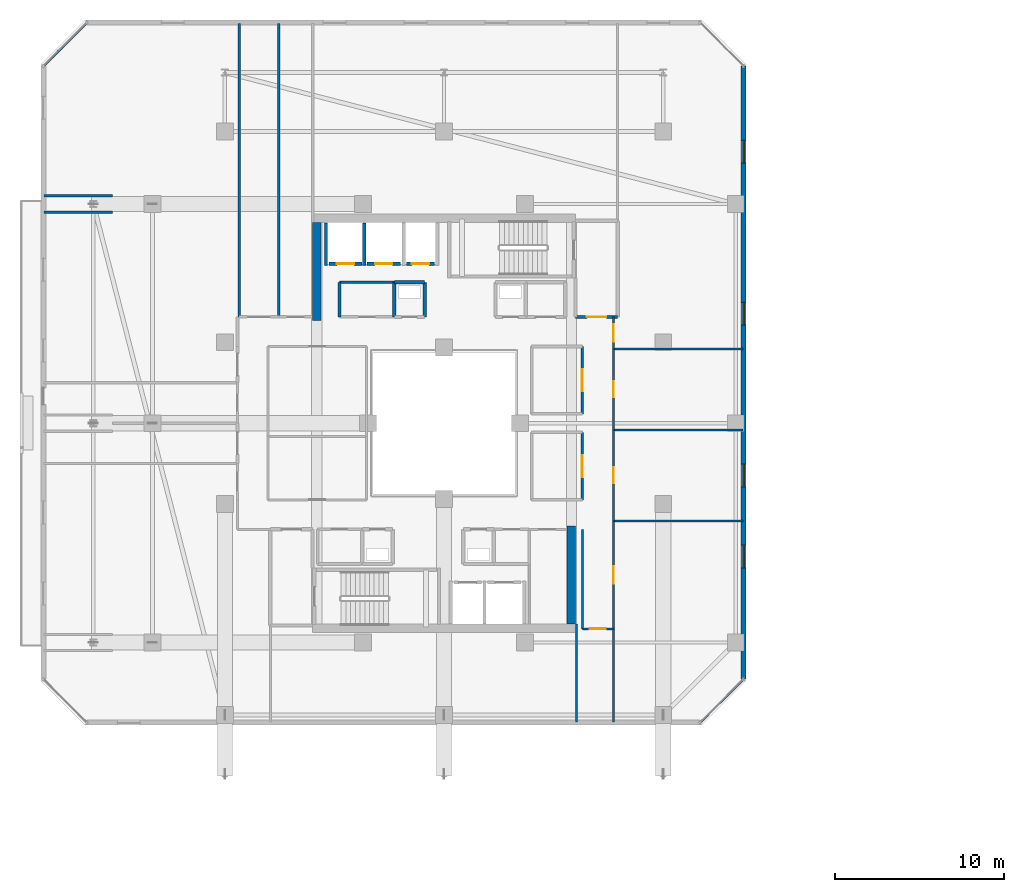
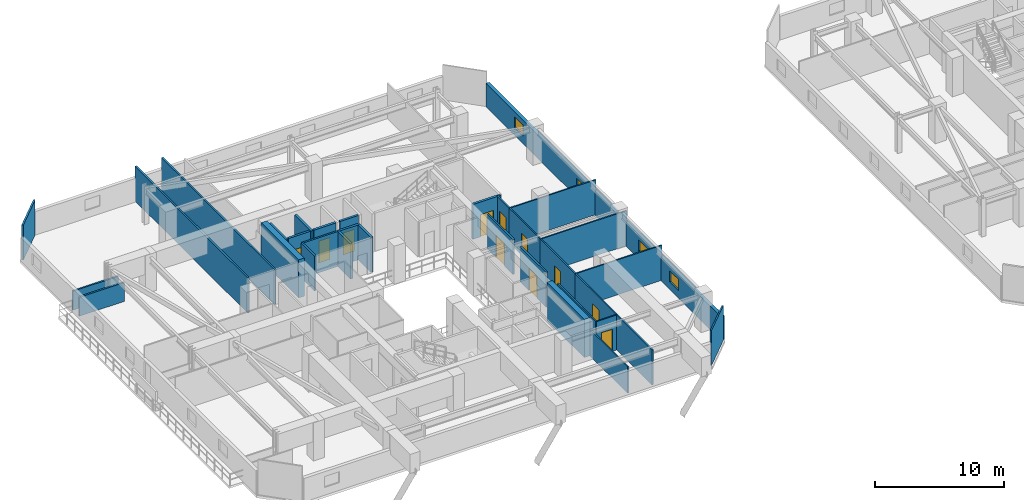
# One storey, part 23 of 35: 33 walls, 11 doors, 4 windows, 15 openings.
"""IFC4 building model written with IfcOpenShell, lengths in metres."""

from ifc_helpers import new_model, si_unit, direction, frame, frame_2d, origin, place, context, subcontext, project, spatial, rectangle, extrude, material, layer, layer_set, type_object, element, fill, save


model = new_model("IFC4")

# Units and contexts
model_context = context("Model", 3, precision=1e-05, world=origin(), true_north=direction((0.0, 1.0)))
body_context = subcontext(model_context, "Body", "Model", "MODEL_VIEW")
ifc_project = project(units=[si_unit("LENGTHUNIT", "METRE"), si_unit("AREAUNIT", "SQUARE_METRE"), si_unit("VOLUMEUNIT", "CUBIC_METRE"), si_unit("PLANEANGLEUNIT", "RADIAN"), si_unit("MASSUNIT", "GRAM", prefix="KILO")], contexts=[model_context])

# Site, building, storey
site_placement = place(None, origin())
site = spatial("IfcSite", under=ifc_project, at=site_placement, CompositionType="ELEMENT")
building_placement = place(site_placement, origin())
building = spatial("IfcBuilding", under=site, at=building_placement, Name="Thornwick Lancets Civic Towers", CompositionType="ELEMENT")
storey_placement = place(building_placement, frame((0.0, 0.0, 225.89990234375)))
storey = spatial("IfcBuildingStorey", under=building, at=storey_placement, Name="L60", CompositionType="ELEMENT", Elevation=225.89990234375)

# Wall, opening, door
ifc_material_1 = material(Name="Concrete blockwork C40/50", Category="masonry")
ifc_layer_1 = layer(ifc_material_1, 0.199951171875, Name="Concrete blockwork C40/50")
ifc_layer_set_1 = layer_set([ifc_layer_1], Name="Concrete blockwork C40/50")
wall_type_1 = type_object("IfcWallType", Name="WALL_COMP_200", PredefinedType="STANDARD", material=ifc_layer_set_1)
wall_1_placement = place(storey_placement, frame((24.919921875, 36.449951171875, 0.0), z_axis=(0.0, 0.0, 1.0), x_axis=(-1.0, 0.0, 0.0)))
wall_1 = element("IfcWall", 1, at=wall_1_placement, inside=storey, type_object=wall_type_1, Name="L60 Hoistway Front Wall FL-A2", PredefinedType="STANDARD", context=body_context, shape_type="SweptSolid", body=[
    extrude(rectangle(XDim=1.639892578125, YDim=0.199951171875, at=frame_2d((0.81982421875, 0.0))), origin(), (0.0, 0.0, 1.0), 3.300048828125),
])
opening_1_placement = place(wall_1_placement, frame((0.31005859375, 0.0, 0.0)))
opening_1 = element("IfcOpeningElement", 2, at=opening_1_placement, cuts=wall_1, Name="Opening LD-FL-A2", PredefinedType="OPENING", context=body_context, shape_type="SweptSolid", body=[
    extrude(rectangle(XDim=1.02001953125, YDim=2.06005859375, at=frame_2d((0.510009765625, 1.030029296875))), frame((0.0, 0.10986328125, 0.0), z_axis=(0.0, -1.0, 0.0), x_axis=(1.0, 0.0, 0.0)), (0.0, 0.0, 1.0), 0.219970703125),
])
ifc_material_2 = material(Name="Brushed bronze stainless steel", Category="steel")
door_type_1 = type_object("IfcDoorType", Name="DOOR_LIFT_SLIDE", OperationType="SLIDING_TO_LEFT", PredefinedType="DOOR", material=ifc_material_2)
door_1_placement = place(opening_1_placement, origin())
door_1 = element("IfcDoor", 3, at=door_1_placement, inside=storey, type_object=door_type_1, Name="L60 Sliding Lift Landing Door LD-FL-A2", OperationType="SLIDING_TO_LEFT", OverallHeight=2.06005859375, OverallWidth=1.02001953125, PredefinedType="DOOR", context=body_context, shape_type="SweptSolid", body=[
    extrude(rectangle(XDim=1.02001953125, YDim=2.06005859375, at=frame_2d((0.510009765625, 1.030029296875))), frame((0.0, 0.02490234375, 0.0), z_axis=(0.0, -1.0, 0.0), x_axis=(1.0, 0.0, 0.0)), (0.0, 0.0, 1.0), 0.050048828125),
])
fill(opening_1, door_1)

wall_2_placement = place(storey_placement, frame((22.919921875, 36.449951171875, 0.0), z_axis=(0.0, 0.0, 1.0), x_axis=(-1.0, 0.0, 0.0)))
wall_2 = element("IfcWall", 4, at=wall_2_placement, inside=storey, type_object=wall_type_1, Name="L60 Hoistway Front Wall PL-AH2", PredefinedType="STANDARD", context=body_context, shape_type="SweptSolid", body=[
    extrude(rectangle(XDim=1.989990234375, YDim=0.199951171875, at=frame_2d((0.9951171875, 0.0))), origin(), (0.0, 0.0, 1.0), 3.300048828125),
])
opening_2_placement = place(wall_2_placement, frame((0.485107421875, 0.0, 0.0)))
opening_2 = element("IfcOpeningElement", 5, at=opening_2_placement, cuts=wall_2, Name="Opening LD-PL-AH2", PredefinedType="OPENING", context=body_context, shape_type="SweptSolid", body=[
    extrude(rectangle(XDim=1.02001953125, YDim=2.06005859375, at=frame_2d((0.510009765625, 1.030029296875))), frame((0.0, 0.10986328125, 0.0), z_axis=(0.0, -1.0, 0.0), x_axis=(1.0, 0.0, 0.0)), (0.0, 0.0, 1.0), 0.219970703125),
])
door_2_placement = place(opening_2_placement, origin())
door_2 = element("IfcDoor", 6, at=door_2_placement, inside=storey, type_object=door_type_1, Name="L60 Sliding Lift Landing Door LD-PL-AH2", OperationType="SLIDING_TO_LEFT", OverallHeight=2.06005859375, OverallWidth=1.02001953125, PredefinedType="DOOR", context=body_context, shape_type="SweptSolid", body=[
    extrude(rectangle(XDim=1.02001953125, YDim=2.06005859375, at=frame_2d((0.510009765625, 1.030029296875))), frame((0.0, 0.02490234375, 0.0), z_axis=(0.0, -1.0, 0.0), x_axis=(1.0, 0.0, 0.0)), (0.0, 0.0, 1.0), 0.050048828125),
])
fill(opening_2, door_2)

wall_3_placement = place(storey_placement, frame((20.6201171875, 36.449951171875, 0.0), z_axis=(0.0, 0.0, 1.0), x_axis=(-1.0, 0.0, 0.0)))
wall_3 = element("IfcWall", 7, at=wall_3_placement, inside=storey, type_object=wall_type_1, Name="L60 Hoistway Front Wall PL-AH3", PredefinedType="STANDARD", context=body_context, shape_type="SweptSolid", body=[
    extrude(rectangle(XDim=1.940185546875, YDim=0.199951171875, at=frame_2d((0.97021484375, 0.0))), origin(), (0.0, 0.0, 1.0), 3.300048828125),
])
opening_3_placement = place(wall_3_placement, frame((0.4599609375, 0.0, 0.0)))
opening_3 = element("IfcOpeningElement", 8, at=opening_3_placement, cuts=wall_3, Name="Opening LD-PL-AH3", PredefinedType="OPENING", context=body_context, shape_type="SweptSolid", body=[
    extrude(rectangle(XDim=1.02001953125, YDim=2.06005859375, at=frame_2d((0.510009765625, 1.030029296875))), frame((0.0, 0.10986328125, 0.0), z_axis=(0.0, -1.0, 0.0), x_axis=(1.0, 0.0, 0.0)), (0.0, 0.0, 1.0), 0.219970703125),
])
door_3_placement = place(opening_3_placement, origin())
door_3 = element("IfcDoor", 9, at=door_3_placement, inside=storey, type_object=door_type_1, Name="L60 Sliding Lift Landing Door LD-PL-AH3", OperationType="SLIDING_TO_LEFT", OverallHeight=2.06005859375, OverallWidth=1.02001953125, PredefinedType="DOOR", context=body_context, shape_type="SweptSolid", body=[
    extrude(rectangle(XDim=1.02001953125, YDim=2.06005859375, at=frame_2d((0.510009765625, 1.030029296875))), frame((0.0, 0.02490234375, 0.0), z_axis=(0.0, -1.0, 0.0), x_axis=(1.0, 0.0, 0.0)), (0.0, 0.0, 1.0), 0.050048828125),
])
fill(opening_3, door_3)

# Walls
for number, where, z_axis, x_axis, name in (
    (10, (20.77490234375, 36.35205078125, 0.0), (0.0, 0.0, 1.0), (0.0, 1.0, 0.0), "L60 Hoistway Shaft Wall PL-AH2 W"),
    (11, (18.5, 36.35205078125, 0.0), (0.0, 0.0, 1.0), (0.0, 1.0, 0.0), "L60 Hoistway Shaft Wall PL-AH3 W"),
):
    element("IfcWall", number, at=place(storey_placement, frame(where, z_axis=z_axis, x_axis=x_axis)), inside=storey, type_object=wall_type_1, Name=name, PredefinedType="STANDARD", context=body_context, shape_type="SweptSolid", body=[
        extrude(rectangle(XDim=2.535888671875, YDim=0.199951171875, at=frame_2d((1.26806640625, 0.0))), origin(), (0.0, 0.0, 1.0), 3.300048828125),
    ])

# Wall, opening, door
wall_4_placement = place(storey_placement, frame((33.300048828125, 33.300048828125, 0.0), z_axis=(0.0, 0.0, 1.0), x_axis=(1.0, 0.0, 0.0)))
wall_4 = element("IfcWall", 12, at=wall_4_placement, inside=storey, type_object=wall_type_1, Name="L60 Partition L60-A-FFLOB2 E1", PredefinedType="STANDARD", context=body_context, shape_type="SweptSolid", body=[
    extrude(rectangle(XDim=2.5, YDim=0.199951171875, at=frame_2d((1.25, 0.0))), origin(), (0.0, 0.0, 1.0), 3.300048828125),
])
opening_4_placement = place(wall_4_placement, frame((0.675048828125, 0.0, 0.0)))
opening_4 = element("IfcOpeningElement", 13, at=opening_4_placement, cuts=wall_4, Name="Opening D-L60-2682", PredefinedType="OPENING", context=body_context, shape_type="SweptSolid", body=[
    extrude(rectangle(XDim=1.14990234375, YDim=2.10009765625, at=frame_2d((0.574951171875, 1.050048828125))), frame((0.0, 0.10986328125, 0.0), z_axis=(0.0, -1.0, 0.0), x_axis=(1.0, 0.0, 0.0)), (0.0, 0.0, 1.0), 0.219970703125),
])
ifc_material_3 = material(Name="Glazed fire-resisting steel", Category="steel")
door_type_2 = type_object("IfcDoorType", Name="DOOR_LOBBY_FD60", OperationType="NOTDEFINED", PredefinedType="DOOR", material=ifc_material_3)
door_4_placement = place(opening_4_placement, origin())
door_4 = element("IfcDoor", 14, at=door_4_placement, inside=storey, type_object=door_type_2, Name="L60 North Firefighting Lobby 2 Door", OperationType="SINGLE_SWING_LEFT", OverallHeight=2.10009765625, OverallWidth=1.14990234375, PredefinedType="DOOR", context=body_context, shape_type="SweptSolid", body=[
    extrude(rectangle(XDim=1.14990234375, YDim=2.10009765625, at=frame_2d((0.574951171875, 1.050048828125))), frame((0.0, 0.02490234375, 0.0), z_axis=(0.0, -1.0, 0.0), x_axis=(1.0, 0.0, 0.0)), (0.0, 0.0, 1.0), 0.050048828125),
])
fill(opening_4, door_4)

# Walls
wall_5_placement = place(storey_placement, frame((24.35009765625, 33.300048828125, 0.0), z_axis=(0.0, 0.0, 1.0), x_axis=(0.0, 1.0, 0.0)))
element("IfcWall", 15, at=wall_5_placement, inside=storey, type_object=wall_type_1, Name="L60 Partition L60-A-DUCT2 E2", PredefinedType="STANDARD", context=body_context, shape_type="SweptSolid", body=[
    extrude(rectangle(XDim=2.050048828125, YDim=0.199951171875, at=frame_2d((1.02490234375, 0.0))), origin(), (0.0, 0.0, 1.0), 3.300048828125),
])
wall_6_placement = place(storey_placement, frame((24.35009765625, 35.35009765625, 0.0), z_axis=(0.0, 0.0, 1.0), x_axis=(-1.0, 0.0, 0.0)))
element("IfcWall", 16, at=wall_6_placement, inside=storey, type_object=wall_type_1, Name="L60 Partition L60-A-DUCT2 E3", PredefinedType="STANDARD", context=body_context, shape_type="SweptSolid", body=[
    extrude(rectangle(XDim=1.800048828125, YDim=0.199951171875, at=frame_2d((0.89990234375, 0.0))), origin(), (0.0, 0.0, 1.0), 3.300048828125),
])
wall_7_placement = place(storey_placement, frame((22.550048828125, 35.35009765625, 0.0), z_axis=(0.0, 0.0, 1.0), x_axis=(0.0, -1.0, 0.0)))
element("IfcWall", 17, at=wall_7_placement, inside=storey, type_object=wall_type_1, Name="L60 Partition L60-A-DUCT2 E4", PredefinedType="STANDARD", context=body_context, shape_type="SweptSolid", body=[
    extrude(rectangle(XDim=2.050048828125, YDim=0.199951171875, at=frame_2d((1.02490234375, 0.0))), origin(), (0.0, 0.0, 1.0), 3.300048828125),
])
ifc_material_4 = material(Name="Concrete C50/60", Category="concrete")
ifc_layer_2 = layer(ifc_material_4, 0.5, Name="Concrete C50/60")
ifc_layer_set_2 = layer_set([ifc_layer_2], Name="Concrete C50/60")
wall_type_2 = type_object("IfcWallType", Name="WALL_CORE_500", PredefinedType="SHEAR", material=ifc_layer_set_2)
for number, where, z_axis, x_axis, name in (
    (18, (33.050048828125, 15.10009765625, 0.0), (0.0, 0.0, 1.0), (0.0, 1.0, 0.0), "L60 Split Core A1 Shear Wall E"),
    (19, (17.949951171875, 33.10009765625, 0.0), (0.0, 0.0, 1.0), (0.0, 1.0, 0.0), "L60 Split Core A2 Shear Wall W"),
):
    element("IfcWall", number, at=place(storey_placement, frame(where, z_axis=z_axis, x_axis=x_axis)), inside=storey, type_object=wall_type_2, Name=name, PredefinedType="SHEAR", context=body_context, shape_type="SweptSolid", body=[
        extrude(rectangle(XDim=5.7998046875, YDim=0.5, at=frame_2d((2.89990234375, 0.0))), origin(), (0.0, 0.0, 1.0), 3.60009765625),
    ])

# Wall, openings, windows
ifc_material_5 = material(Name="Insulated russet terracotta rainscreen on concrete C40/50", Category="masonry")
ifc_layer_3 = layer(ifc_material_5, 0.300048828125, Name="Insulated russet terracotta rainscreen on concrete C40/50")
ifc_layer_set_3 = layer_set([ifc_layer_3], Name="Insulated russet terracotta rainscreen on concrete C40/50")
wall_type_3 = type_object("IfcWallType", Name="WALL_EXT_RUSSET_300", PredefinedType="STANDARD", material=ifc_layer_set_3)
wall_8_placement = place(storey_placement, frame((43.2646484375, 11.818603515625, 0.0), z_axis=(0.0, 0.0, 1.0), x_axis=(0.0, 1.0, 0.0)))
wall_8 = element("IfcWall", 20, at=wall_8_placement, inside=storey, type_object=wall_type_3, Name="L60 Tower A Terracotta Facade Wall E2", PredefinedType="STANDARD", context=body_context, shape_type="SweptSolid", body=[
    extrude(rectangle(XDim=36.36279296875, YDim=0.300048828125, at=frame_2d((18.181396484375, 0.0))), origin(), (0.0, 0.0, 1.0), 2.22021484375),
])
opening_5_placement = place(wall_8_placement, frame((6.60009765625, 0.0, 0.719970703125)))
opening_5 = element("IfcOpeningElement", 21, at=opening_5_placement, cuts=wall_8, Name="Opening WL-03", PredefinedType="OPENING", context=body_context, shape_type="SweptSolid", body=[
    extrude(rectangle(XDim=1.35009765625, YDim=1.050048828125, at=frame_2d((0.675048828125, 0.52490234375))), frame((0.0, 0.16015625, 0.0), z_axis=(0.0, -1.0, 0.0), x_axis=(1.0, 0.0, 0.0)), (0.0, 0.0, 1.0), 0.320068359375),
])
opening_6_placement = place(wall_8_placement, frame((11.39990234375, 0.0, 0.719970703125)))
opening_6 = element("IfcOpeningElement", 22, at=opening_6_placement, cuts=wall_8, Name="Opening WL-03", PredefinedType="OPENING", context=body_context, shape_type="SweptSolid", body=[
    extrude(rectangle(XDim=1.35009765625, YDim=1.050048828125, at=frame_2d((0.675048828125, 0.52490234375))), frame((0.0, 0.16015625, 0.0), z_axis=(0.0, -1.0, 0.0), x_axis=(1.0, 0.0, 0.0)), (0.0, 0.0, 1.0), 0.320068359375),
])
opening_7_placement = place(wall_8_placement, frame((21.0, 0.0, 0.719970703125)))
opening_7 = element("IfcOpeningElement", 23, at=opening_7_placement, cuts=wall_8, Name="Opening WL-03", PredefinedType="OPENING", context=body_context, shape_type="SweptSolid", body=[
    extrude(rectangle(XDim=1.35009765625, YDim=1.050048828125, at=frame_2d((0.675048828125, 0.52490234375))), frame((0.0, 0.16015625, 0.0), z_axis=(0.0, -1.0, 0.0), x_axis=(1.0, 0.0, 0.0)), (0.0, 0.0, 1.0), 0.320068359375),
])
opening_8_placement = place(wall_8_placement, frame((30.60009765625, 0.0, 0.719970703125)))
opening_8 = element("IfcOpeningElement", 24, at=opening_8_placement, cuts=wall_8, Name="Opening WL-03", PredefinedType="OPENING", context=body_context, shape_type="SweptSolid", body=[
    extrude(rectangle(XDim=1.35009765625, YDim=1.050048828125, at=frame_2d((0.675048828125, 0.52490234375))), frame((0.0, 0.16015625, 0.0), z_axis=(0.0, -1.0, 0.0), x_axis=(1.0, 0.0, 0.0)), (0.0, 0.0, 1.0), 0.320068359375),
])
ifc_material_6 = material(Name="Clear low-e double glazing clerestory lancet", Category="glass")
window_type = type_object("IfcWindowType", Name="WIN_LANCET_1350", PartitioningType="SINGLE_PANEL", PredefinedType="WINDOW", material=ifc_material_6)
window_1_placement = place(opening_5_placement, origin())
window_1 = element("IfcWindow", 25, at=window_1_placement, inside=storey, type_object=window_type, Name="L60 Tower A Staggered Lancet Window E2-1", OverallHeight=1.050048828125, OverallWidth=1.35009765625, PartitioningType="SINGLE_PANEL", PredefinedType="WINDOW", context=body_context, shape_type="SweptSolid", body=[
    extrude(rectangle(XDim=1.35009765625, YDim=1.050048828125, at=frame_2d((0.675048828125, 0.52490234375))), frame((0.0, 0.030029296875, 0.0), z_axis=(0.0, -1.0, 0.0), x_axis=(1.0, 0.0, 0.0)), (0.0, 0.0, 1.0), 0.06005859375),
])
fill(opening_5, window_1)
window_2_placement = place(opening_6_placement, origin())
window_2 = element("IfcWindow", 26, at=window_2_placement, inside=storey, type_object=window_type, Name="L60 Tower A Staggered Lancet Window E2-2", OverallHeight=1.050048828125, OverallWidth=1.35009765625, PartitioningType="SINGLE_PANEL", PredefinedType="WINDOW", context=body_context, shape_type="SweptSolid", body=[
    extrude(rectangle(XDim=1.35009765625, YDim=1.050048828125, at=frame_2d((0.675048828125, 0.52490234375))), frame((0.0, 0.030029296875, 0.0), z_axis=(0.0, -1.0, 0.0), x_axis=(1.0, 0.0, 0.0)), (0.0, 0.0, 1.0), 0.06005859375),
])
fill(opening_6, window_2)
window_3_placement = place(opening_7_placement, origin())
window_3 = element("IfcWindow", 27, at=window_3_placement, inside=storey, type_object=window_type, Name="L60 Tower A Staggered Lancet Window E2-3", OverallHeight=1.050048828125, OverallWidth=1.35009765625, PartitioningType="SINGLE_PANEL", PredefinedType="WINDOW", context=body_context, shape_type="SweptSolid", body=[
    extrude(rectangle(XDim=1.35009765625, YDim=1.050048828125, at=frame_2d((0.675048828125, 0.52490234375))), frame((0.0, 0.030029296875, 0.0), z_axis=(0.0, -1.0, 0.0), x_axis=(1.0, 0.0, 0.0)), (0.0, 0.0, 1.0), 0.06005859375),
])
fill(opening_7, window_3)
window_4_placement = place(opening_8_placement, origin())
window_4 = element("IfcWindow", 28, at=window_4_placement, inside=storey, type_object=window_type, Name="L60 Tower A Staggered Lancet Window E2-4", OverallHeight=1.050048828125, OverallWidth=1.35009765625, PartitioningType="SINGLE_PANEL", PredefinedType="WINDOW", context=body_context, shape_type="SweptSolid", body=[
    extrude(rectangle(XDim=1.35009765625, YDim=1.050048828125, at=frame_2d((0.675048828125, 0.52490234375))), frame((0.0, 0.030029296875, 0.0), z_axis=(0.0, -1.0, 0.0), x_axis=(1.0, 0.0, 0.0)), (0.0, 0.0, 1.0), 0.06005859375),
])
fill(opening_8, window_4)

# Wall
ifc_material_7 = material(Name="Acoustic gypsum board partition")
ifc_layer_4 = layer(ifc_material_7, 0.1201171875, Name="Acoustic gypsum board partition")
ifc_layer_set_4 = layer_set([ifc_layer_4], Name="Acoustic gypsum board partition")
wall_type_4 = type_object("IfcWallType", Name="WALL_PART_120", PredefinedType="PARTITIONING", material=ifc_layer_set_4)
wall_9_placement = place(storey_placement, frame((33.699951171875, 20.699951171875, 0.0), z_axis=(0.0, 0.0, 1.0), x_axis=(0.0, -1.0, 0.0)))
element("IfcWall", 29, at=wall_9_placement, inside=storey, type_object=wall_type_4, Name="L60 Partition L60-A-RECLAIM-L E2", PredefinedType="PARTITIONING", context=body_context, shape_type="SweptSolid", body=[
    extrude(rectangle(XDim=5.89990234375, YDim=0.1201171875, at=frame_2d((2.949951171875, 0.0))), origin(), (0.0, 0.0, 1.0), 3.300048828125),
])

# Wall, opening, door
wall_10_placement = place(storey_placement, frame((33.699951171875, 14.800048828125, 0.0), z_axis=(0.0, 0.0, 1.0), x_axis=(1.0, 0.0, 0.0)))
wall_10 = element("IfcWall", 30, at=wall_10_placement, inside=storey, type_object=wall_type_4, Name="L60 Partition L60-A-RECLAIM-L E3", PredefinedType="PARTITIONING", context=body_context, shape_type="SweptSolid", body=[
    extrude(rectangle(XDim=1.85009765625, YDim=0.1201171875, at=frame_2d((0.925048828125, 0.0))), origin(), (0.0, 0.0, 1.0), 3.300048828125),
])
opening_9_placement = place(wall_10_placement, frame((0.449951171875, 0.0, 0.0)))
opening_9 = element("IfcOpeningElement", 31, at=opening_9_placement, cuts=wall_10, Name="Opening D-L60-2703", PredefinedType="OPENING", context=body_context, shape_type="SweptSolid", body=[
    extrude(rectangle(XDim=0.949951171875, YDim=2.10009765625, at=frame_2d((0.47509765625, 1.050048828125))), frame((0.0, 0.070068359375, 0.0), z_axis=(0.0, -1.0, 0.0), x_axis=(1.0, 0.0, 0.0)), (0.0, 0.0, 1.0), 0.14013671875),
])
ifc_material_8 = material(Name="European oak acoustic doorset")
door_type_3 = type_object("IfcDoorType", Name="DOOR_OFFICE_950", OperationType="NOTDEFINED", PredefinedType="DOOR", material=ifc_material_8)
door_5_placement = place(opening_9_placement, origin())
door_5 = element("IfcDoor", 32, at=door_5_placement, inside=storey, type_object=door_type_3, Name="L60 Tower A Parliamentary Drafting Library Door", OperationType="SINGLE_SWING_RIGHT", OverallHeight=2.10009765625, OverallWidth=0.949951171875, PredefinedType="DOOR", context=body_context, shape_type="SweptSolid", body=[
    extrude(rectangle(XDim=0.949951171875, YDim=2.10009765625, at=frame_2d((0.47509765625, 1.050048828125))), frame((0.0, 0.02490234375, 0.0), z_axis=(0.0, -1.0, 0.0), x_axis=(1.0, 0.0, 0.0)), (0.0, 0.0, 1.0), 0.050048828125),
])
fill(opening_9, door_5)

# Walls
wall_11_placement = place(storey_placement, frame((35.550048828125, 14.800048828125, 0.0), z_axis=(0.0, 0.0, 1.0), x_axis=(0.0, -1.0, 0.0)))
element("IfcWall", 33, at=wall_11_placement, inside=storey, type_object=wall_type_4, Name="L60 Partition L60-A-RECLAIM-L E4", PredefinedType="PARTITIONING", context=body_context, shape_type="SweptSolid", body=[
    extrude(rectangle(XDim=5.52001953125, YDim=0.1201171875, at=frame_2d((2.760009765625, 0.0))), origin(), (0.0, 0.0, 1.0), 3.300048828125),
])
wall_12_placement = place(storey_placement, frame((33.35009765625, 9.280029296875, 0.0), z_axis=(0.0, 0.0, 1.0), x_axis=(0.0, 1.0, 0.0)))
element("IfcWall", 34, at=wall_12_placement, inside=storey, type_object=wall_type_4, Name="L60 Partition L60-A-RECLAIM-L E6", PredefinedType="PARTITIONING", context=body_context, shape_type="SweptSolid", body=[
    extrude(rectangle(XDim=5.820068359375, YDim=0.1201171875, at=frame_2d((2.91015625, 0.0))), origin(), (0.0, 0.0, 1.0), 2.505126953125),
])

# Wall, opening, door
wall_13_placement = place(storey_placement, frame((35.550048828125, 14.800048828125, 0.0), z_axis=(0.0, 0.0, 1.0), x_axis=(0.0, 1.0, 0.0)))
wall_13 = element("IfcWall", 35, at=wall_13_placement, inside=storey, type_object=wall_type_4, Name="L60 Partition L60-A-E1 E3", PredefinedType="PARTITIONING", context=body_context, shape_type="SweptSolid", body=[
    extrude(rectangle(XDim=6.39990234375, YDim=0.1201171875, at=frame_2d((3.199951171875, 0.0))), origin(), (0.0, 0.0, 1.0), 3.300048828125),
])
opening_10_placement = place(wall_13_placement, frame((2.675048828125, 0.0, 0.0)))
opening_10 = element("IfcOpeningElement", 36, at=opening_10_placement, cuts=wall_13, Name="Opening D-L60-2712", PredefinedType="OPENING", context=body_context, shape_type="SweptSolid", body=[
    extrude(rectangle(XDim=1.050048828125, YDim=2.10009765625, at=frame_2d((0.52490234375, 1.050048828125))), frame((0.0, 0.070068359375, 0.0), z_axis=(0.0, -1.0, 0.0), x_axis=(1.0, 0.0, 0.0)), (0.0, 0.0, 1.0), 0.14013671875),
])
ifc_material_9 = material(Name="Glazed European oak executive doorset")
door_type_4 = type_object("IfcDoorType", Name="DOOR_OFFICE_1050", OperationType="NOTDEFINED", PredefinedType="DOOR", material=ifc_material_9)
door_6_placement = place(opening_10_placement, origin())
door_6 = element("IfcDoor", 37, at=door_6_placement, inside=storey, type_object=door_type_4, Name="L60 Tower A Secretariat Open Office E1 Door", OperationType="SINGLE_SWING_LEFT", OverallHeight=2.10009765625, OverallWidth=1.050048828125, PredefinedType="DOOR", context=body_context, shape_type="SweptSolid", body=[
    extrude(rectangle(XDim=1.050048828125, YDim=2.10009765625, at=frame_2d((0.52490234375, 1.050048828125))), frame((0.0, 0.02490234375, 0.0), z_axis=(0.0, -1.0, 0.0), x_axis=(1.0, 0.0, 0.0)), (0.0, 0.0, 1.0), 0.050048828125),
])
fill(opening_10, door_6)

# Walls
wall_14_placement = place(storey_placement, frame((35.550048828125, 21.199951171875, 0.0), z_axis=(0.0, 0.0, 1.0), x_axis=(1.0, 0.0, 0.0)))
element("IfcWall", 38, at=wall_14_placement, inside=storey, type_object=wall_type_4, Name="L60 Partition L60-A-E1 E4", PredefinedType="PARTITIONING", context=body_context, shape_type="SweptSolid", body=[
    extrude(rectangle(XDim=7.669921875, YDim=0.1201171875, at=frame_2d((3.8349609375, 0.0))), origin(), (0.0, 0.0, 1.0), 3.300048828125),
])
wall_15_placement = place(storey_placement, frame((43.219970703125, 11.774658203125, 0.0), z_axis=(0.0, 0.0, 1.0), x_axis=(-0.707106781187, -0.707106781187, 0.0)))
element("IfcWall", 39, at=wall_15_placement, inside=storey, type_object=wall_type_4, Name="L60 Partition L60-A-E1 E6", PredefinedType="PARTITIONING", context=body_context, shape_type="SweptSolid", body=[
    extrude(rectangle(XDim=3.52783203125, YDim=0.1201171875, at=frame_2d((1.763916015625, 0.0))), origin(), (0.0, 0.0, 1.0), 3.300048828125),
])

# Wall, opening, door
wall_16_placement = place(storey_placement, frame((35.550048828125, 21.199951171875, 0.0), z_axis=(0.0, 0.0, 1.0), x_axis=(0.0, 1.0, 0.0)))
wall_16 = element("IfcWall", 40, at=wall_16_placement, inside=storey, type_object=wall_type_4, Name="L60 Partition L60-A-E2 E1", PredefinedType="PARTITIONING", context=body_context, shape_type="SweptSolid", body=[
    extrude(rectangle(XDim=5.400146484375, YDim=0.1201171875, at=frame_2d((2.7001953125, 0.0))), origin(), (0.0, 0.0, 1.0), 3.300048828125),
])
opening_11_placement = place(wall_16_placement, frame((2.22509765625, 0.0, 0.0)))
opening_11 = element("IfcOpeningElement", 41, at=opening_11_placement, cuts=wall_16, Name="Opening D-L60-2713", PredefinedType="OPENING", context=body_context, shape_type="SweptSolid", body=[
    extrude(rectangle(XDim=0.949951171875, YDim=2.10009765625, at=frame_2d((0.47509765625, 1.050048828125))), frame((0.0, 0.070068359375, 0.0), z_axis=(0.0, -1.0, 0.0), x_axis=(1.0, 0.0, 0.0)), (0.0, 0.0, 1.0), 0.14013671875),
])
door_7_placement = place(opening_11_placement, origin())
door_7 = element("IfcDoor", 42, at=door_7_placement, inside=storey, type_object=door_type_3, Name="L60 Tower A Visitors Reception and Waiting Door", OperationType="SINGLE_SWING_RIGHT", OverallHeight=2.10009765625, OverallWidth=0.949951171875, PredefinedType="DOOR", context=body_context, shape_type="SweptSolid", body=[
    extrude(rectangle(XDim=0.949951171875, YDim=2.10009765625, at=frame_2d((0.47509765625, 1.050048828125))), frame((0.0, 0.02490234375, 0.0), z_axis=(0.0, -1.0, 0.0), x_axis=(1.0, 0.0, 0.0)), (0.0, 0.0, 1.0), 0.050048828125),
])
fill(opening_11, door_7)

# Wall
wall_17_placement = place(storey_placement, frame((35.550048828125, 26.60009765625, 0.0), z_axis=(0.0, 0.0, 1.0), x_axis=(1.0, 0.0, 0.0)))
element("IfcWall", 43, at=wall_17_placement, inside=storey, type_object=wall_type_4, Name="L60 Partition L60-A-E2 E2", PredefinedType="PARTITIONING", context=body_context, shape_type="SweptSolid", body=[
    extrude(rectangle(XDim=7.669921875, YDim=0.1201171875, at=frame_2d((3.8349609375, 0.0))), origin(), (0.0, 0.0, 1.0), 3.300048828125),
])

# Wall, opening, door
wall_18_placement = place(storey_placement, frame((35.550048828125, 26.60009765625, 0.0), z_axis=(0.0, 0.0, 1.0), x_axis=(0.0, 1.0, 0.0)))
wall_18 = element("IfcWall", 44, at=wall_18_placement, inside=storey, type_object=wall_type_4, Name="L60 Partition L60-A-E3 E1", PredefinedType="PARTITIONING", context=body_context, shape_type="SweptSolid", body=[
    extrude(rectangle(XDim=4.7998046875, YDim=0.1201171875, at=frame_2d((2.39990234375, 0.0))), origin(), (0.0, 0.0, 1.0), 3.300048828125),
])
opening_12_placement = place(wall_18_placement, frame((1.925048828125, 0.0, 0.0)))
opening_12 = element("IfcOpeningElement", 45, at=opening_12_placement, cuts=wall_18, Name="Opening D-L60-2714", PredefinedType="OPENING", context=body_context, shape_type="SweptSolid", body=[
    extrude(rectangle(XDim=0.949951171875, YDim=2.10009765625, at=frame_2d((0.47509765625, 1.050048828125))), frame((0.0, 0.070068359375, 0.0), z_axis=(0.0, -1.0, 0.0), x_axis=(1.0, 0.0, 0.0)), (0.0, 0.0, 1.0), 0.14013671875),
])
door_8_placement = place(opening_12_placement, origin())
door_8 = element("IfcDoor", 46, at=door_8_placement, inside=storey, type_object=door_type_3, Name="L60 Tower A Civic Seminar Room Door", OperationType="SINGLE_SWING_LEFT", OverallHeight=2.10009765625, OverallWidth=0.949951171875, PredefinedType="DOOR", context=body_context, shape_type="SweptSolid", body=[
    extrude(rectangle(XDim=0.949951171875, YDim=2.10009765625, at=frame_2d((0.47509765625, 1.050048828125))), frame((0.0, 0.02490234375, 0.0), z_axis=(0.0, -1.0, 0.0), x_axis=(1.0, 0.0, 0.0)), (0.0, 0.0, 1.0), 0.050048828125),
])
fill(opening_12, door_8)

# Wall
wall_19_placement = place(storey_placement, frame((35.550048828125, 31.39990234375, 0.0), z_axis=(0.0, 0.0, 1.0), x_axis=(1.0, 0.0, 0.0)))
element("IfcWall", 47, at=wall_19_placement, inside=storey, type_object=wall_type_4, Name="L60 Partition L60-A-E3 E2", PredefinedType="PARTITIONING", context=body_context, shape_type="SweptSolid", body=[
    extrude(rectangle(XDim=7.669921875, YDim=0.1201171875, at=frame_2d((3.8349609375, 0.0))), origin(), (0.0, 0.0, 1.0), 3.300048828125),
])

# Wall, opening, door
wall_20_placement = place(storey_placement, frame((35.550048828125, 31.39990234375, 0.0), z_axis=(0.0, 0.0, 1.0), x_axis=(0.0, 1.0, 0.0)))
wall_20 = element("IfcWall", 48, at=wall_20_placement, inside=storey, type_object=wall_type_4, Name="L60 Partition L60-A-E4 E8", PredefinedType="PARTITIONING", context=body_context, shape_type="SweptSolid", body=[
    extrude(rectangle(XDim=1.900146484375, YDim=0.1201171875, at=frame_2d((0.9501953125, 0.0))), origin(), (0.0, 0.0, 1.0), 3.300048828125),
])
opening_13_placement = place(wall_20_placement, frame((0.425048828125, 0.0, 0.0)))
opening_13 = element("IfcOpeningElement", 49, at=opening_13_placement, cuts=wall_20, Name="Opening D-L60-2715", PredefinedType="OPENING", context=body_context, shape_type="SweptSolid", body=[
    extrude(rectangle(XDim=1.050048828125, YDim=2.10009765625, at=frame_2d((0.52490234375, 1.050048828125))), frame((0.0, 0.070068359375, 0.0), z_axis=(0.0, -1.0, 0.0), x_axis=(1.0, 0.0, 0.0)), (0.0, 0.0, 1.0), 0.14013671875),
])
door_9_placement = place(opening_13_placement, origin())
door_9 = element("IfcDoor", 50, at=door_9_placement, inside=storey, type_object=door_type_4, Name="L60 Tower A Legislative Drafting Suite E4 Door", OperationType="SINGLE_SWING_RIGHT", OverallHeight=2.10009765625, OverallWidth=1.050048828125, PredefinedType="DOOR", context=body_context, shape_type="SweptSolid", body=[
    extrude(rectangle(XDim=1.050048828125, YDim=2.10009765625, at=frame_2d((0.52490234375, 1.050048828125))), frame((0.0, 0.02490234375, 0.0), z_axis=(0.0, -1.0, 0.0), x_axis=(1.0, 0.0, 0.0)), (0.0, 0.0, 1.0), 0.050048828125),
])
fill(opening_13, door_9)

# Walls
ifc_material_10 = material(Name="Twin-stud acoustic gypsum board")
ifc_layer_5 = layer(ifc_material_10, 0.14990234375, Name="Twin-stud acoustic gypsum board")
ifc_layer_set_5 = layer_set([ifc_layer_5], Name="Twin-stud acoustic gypsum board")
wall_type_5 = type_object("IfcWallType", Name="WALL_PART_150", PredefinedType="PARTITIONING", material=ifc_layer_set_5)
wall_21_placement = place(storey_placement, frame((19.300048828125, 33.300048828125, 0.0), z_axis=(0.0, 0.0, 1.0), x_axis=(0.0, 1.0, 0.0)))
element("IfcWall", 51, at=wall_21_placement, inside=storey, type_object=wall_type_5, Name="L60 Partition L60-A-FWC E1", PredefinedType="PARTITIONING", context=body_context, shape_type="SweptSolid", body=[
    extrude(rectangle(XDim=2.050048828125, YDim=0.14990234375, at=frame_2d((1.02490234375, 0.0))), origin(), (0.0, 0.0, 1.0), 3.300048828125),
])
wall_22_placement = place(storey_placement, frame((19.300048828125, 35.35009765625, 0.0), z_axis=(0.0, 0.0, 1.0), x_axis=(1.0, 0.0, 0.0)))
element("IfcWall", 52, at=wall_22_placement, inside=storey, type_object=wall_type_5, Name="L60 Partition L60-A-FWC E2", PredefinedType="PARTITIONING", context=body_context, shape_type="SweptSolid", body=[
    extrude(rectangle(XDim=3.25, YDim=0.14990234375, at=frame_2d((1.625, 0.0))), origin(), (0.0, 0.0, 1.0), 3.300048828125),
])
for number, where, z_axis, x_axis, name in (
    (53, (13.35009765625, 33.300048828125, 0.0), (0.0, 0.0, 1.0), (0.0, 1.0, 0.0), "L60 Partition L60-A-RECLAIM-M1 E1"),
    (54, (15.699951171875, 50.719970703125, 0.0), (0.0, 0.0, 1.0), (0.0, -1.0, 0.0), "L60 Partition L60-A-RECLAIM-M1 E3"),
):
    element("IfcWall", number, at=place(storey_placement, frame(where, z_axis=z_axis, x_axis=x_axis)), inside=storey, type_object=wall_type_5, Name=name, PredefinedType="PARTITIONING", context=body_context, shape_type="SweptSolid", body=[
        extrude(rectangle(XDim=17.419921875, YDim=0.14990234375, at=frame_2d((8.7099609375, 0.0))), origin(), (0.0, 0.0, 1.0), 3.300048828125),
    ])
for number, where, z_axis, x_axis, name in (
    (55, (1.780029296875, 39.52001953125, 0.0), (0.0, 0.0, 1.0), (1.0, 0.0, 0.0), "L60 Partition L60-A-W2C E2"),
    (56, (5.82861328125, 40.47998046875, 0.0), (0.0, 0.0, 1.0), (-1.0, 0.0, 0.0), "L60 Partition L60-A-W2C E4"),
):
    element("IfcWall", number, at=place(storey_placement, frame(where, z_axis=z_axis, x_axis=x_axis)), inside=storey, type_object=wall_type_5, Name=name, PredefinedType="PARTITIONING", context=body_context, shape_type="SweptSolid", body=[
        extrude(rectangle(XDim=4.048583984375, YDim=0.14990234375, at=frame_2d((2.0244140625, 0.0))), origin(), (0.0, 0.0, 1.0), 1.78515625),
    ])
wall_23_placement = place(storey_placement, frame((1.780029296875, 48.225341796875, 0.0), z_axis=(0.0, 0.0, 1.0), x_axis=(0.707106781187, 0.707106781187, 0.0)))
element("IfcWall", 57, at=wall_23_placement, inside=storey, type_object=wall_type_5, Name="L60 Partition L60-A-W2C E6", PredefinedType="PARTITIONING", context=body_context, shape_type="SweptSolid", body=[
    extrude(rectangle(XDim=3.52783203125, YDim=0.14990234375, at=frame_2d((1.763916015625, 0.0))), origin(), (0.0, 0.0, 1.0), 3.300048828125),
])

# Wall, opening, door
wall_24_placement = place(storey_placement, frame((33.699951171875, 26.449951171875, 0.0), z_axis=(0.0, 0.0, 1.0), x_axis=(0.0, -1.0, 0.0)))
wall_24 = element("IfcWall", 58, at=wall_24_placement, inside=storey, type_object=wall_type_5, Name="L60 Partition L60-A-E-ATR-1 E3", PredefinedType="PARTITIONING", context=body_context, shape_type="SweptSolid", body=[
    extrude(rectangle(XDim=4.0, YDim=0.14990234375, at=frame_2d((2.0, 0.0))), origin(), (0.0, 0.0, 1.0), 3.300048828125),
])
opening_14_placement = place(wall_24_placement, frame((1.35009765625, 0.0, 0.0)))
opening_14 = element("IfcOpeningElement", 59, at=opening_14_placement, cuts=wall_24, Name="Opening D-L60-2716", PredefinedType="OPENING", context=body_context, shape_type="SweptSolid", body=[
    extrude(rectangle(XDim=1.300048828125, YDim=2.1201171875, at=frame_2d((0.64990234375, 1.06005859375))), frame((0.0, 0.0849609375, 0.0), z_axis=(0.0, -1.0, 0.0), x_axis=(1.0, 0.0, 0.0)), (0.0, 0.0, 1.0), 0.169921875),
])
ifc_material_11 = material(Name="Acoustic oak leaf-and-a-half doorset")
door_type_5 = type_object("IfcDoorType", Name="DOOR_MEET_1300", OperationType="DOUBLE_DOOR_SINGLE_SWING", PredefinedType="DOOR", material=ifc_material_11)
door_10_placement = place(opening_14_placement, origin())
door_10 = element("IfcDoor", 60, at=door_10_placement, inside=storey, type_object=door_type_5, Name="L60 Tower A Atrium Briefing Room Door", OperationType="DOUBLE_DOOR_SINGLE_SWING", OverallHeight=2.1201171875, OverallWidth=1.300048828125, PredefinedType="DOOR", context=body_context, shape_type="SweptSolid", body=[
    extrude(rectangle(XDim=1.300048828125, YDim=2.1201171875, at=frame_2d((0.64990234375, 1.06005859375))), frame((0.0, 0.02490234375, 0.0), z_axis=(0.0, -1.0, 0.0), x_axis=(1.0, 0.0, 0.0)), (0.0, 0.0, 1.0), 0.050048828125),
])
fill(opening_14, door_10)

wall_25_placement = place(storey_placement, frame((33.699951171875, 31.550048828125, 0.0), z_axis=(0.0, 0.0, 1.0), x_axis=(0.0, -1.0, 0.0)))
wall_25 = element("IfcWall", 61, at=wall_25_placement, inside=storey, type_object=wall_type_5, Name="L60 Partition L60-A-E-ATR-2 E3", PredefinedType="PARTITIONING", context=body_context, shape_type="SweptSolid", body=[
    extrude(rectangle(XDim=4.0, YDim=0.14990234375, at=frame_2d((2.0, 0.0))), origin(), (0.0, 0.0, 1.0), 3.300048828125),
])
opening_15_placement = place(wall_25_placement, frame((1.35009765625, 0.0, 0.0)))
opening_15 = element("IfcOpeningElement", 62, at=opening_15_placement, cuts=wall_25, Name="Opening D-L60-2717", PredefinedType="OPENING", context=body_context, shape_type="SweptSolid", body=[
    extrude(rectangle(XDim=1.300048828125, YDim=2.1201171875, at=frame_2d((0.64990234375, 1.06005859375))), frame((0.0, 0.0849609375, 0.0), z_axis=(0.0, -1.0, 0.0), x_axis=(1.0, 0.0, 0.0)), (0.0, 0.0, 1.0), 0.169921875),
])
door_11_placement = place(opening_15_placement, origin())
door_11 = element("IfcDoor", 63, at=door_11_placement, inside=storey, type_object=door_type_5, Name="L60 Tower A Atrium Consultation Chamber Door", OperationType="DOUBLE_DOOR_SINGLE_SWING", OverallHeight=2.1201171875, OverallWidth=1.300048828125, PredefinedType="DOOR", context=body_context, shape_type="SweptSolid", body=[
    extrude(rectangle(XDim=1.300048828125, YDim=2.1201171875, at=frame_2d((0.64990234375, 1.06005859375))), frame((0.0, 0.02490234375, 0.0), z_axis=(0.0, -1.0, 0.0), x_axis=(1.0, 0.0, 0.0)), (0.0, 0.0, 1.0), 0.050048828125),
])
fill(opening_15, door_11)

save(model, "model.ifc")
